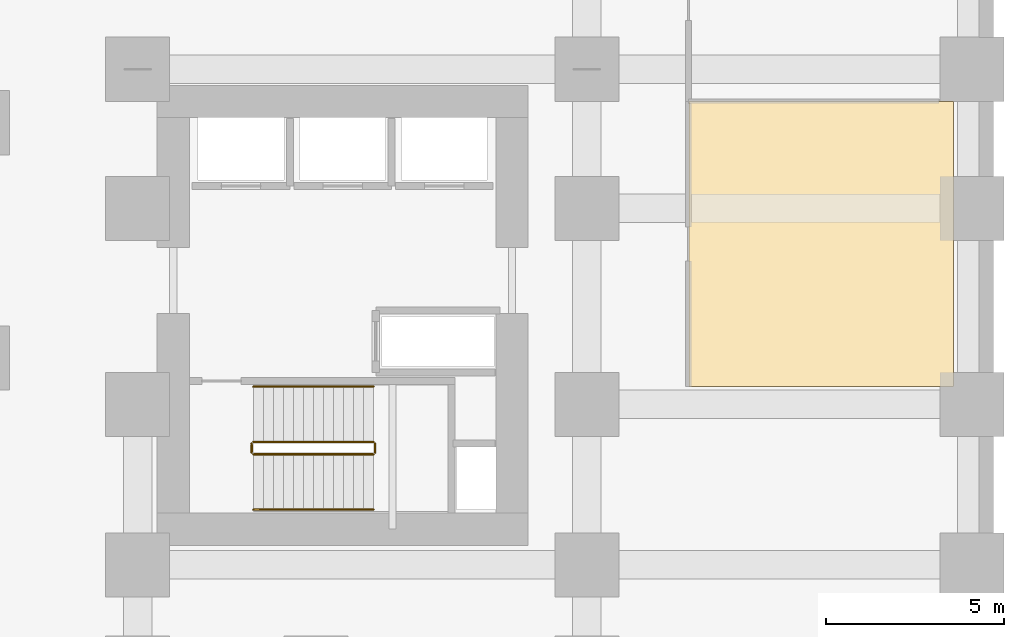
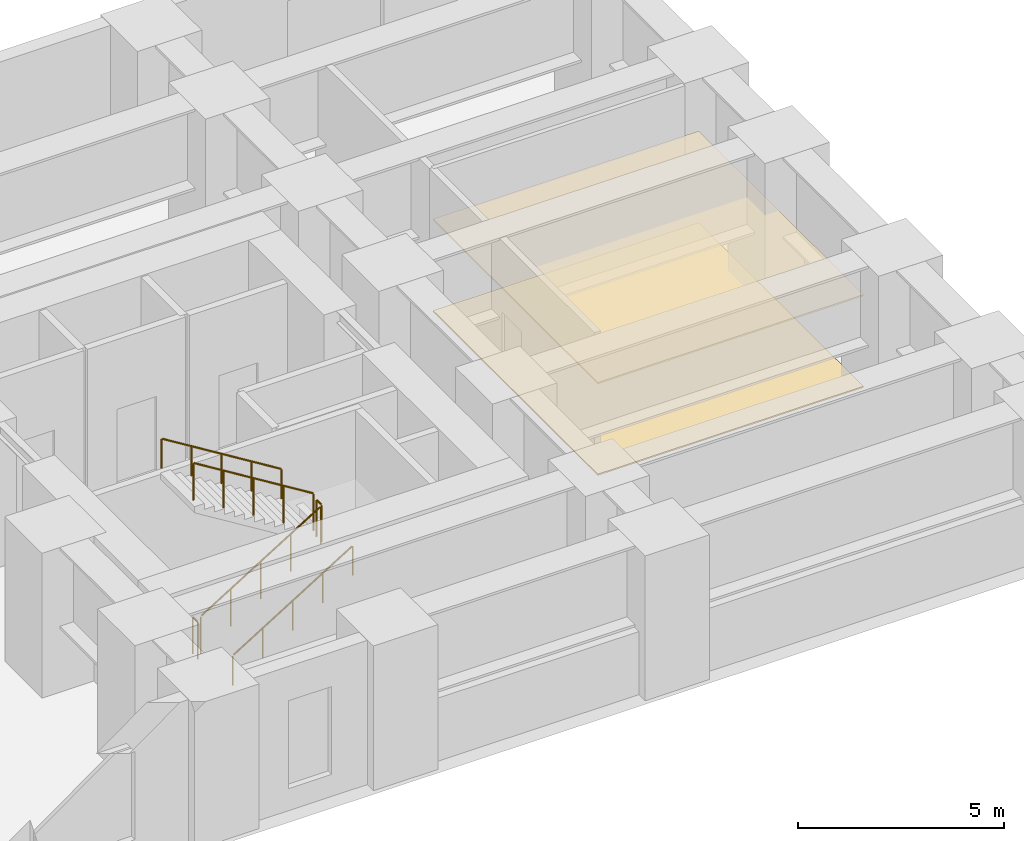
# One storey, part 11 of 12: 6 railings, 2 coverings.
"""IFC4 building model written with IfcOpenShell, lengths in metres."""

from ifc_helpers import new_model, si_unit, direction, frame, origin, origin_2d, place, context, subcontext, project, spatial, polyline, circle, outline, extrude, source, transform, mapped, material, layer, layer_set, type_object, element, save


model = new_model("IFC4")

# Units and contexts
model_context = context("Model", 3, precision=1e-05, world=origin(), true_north=direction((0.0, 1.0)))
body_context = subcontext(model_context, "Body", "Model", "MODEL_VIEW")
ifc_project = project(units=[si_unit("LENGTHUNIT", "METRE"), si_unit("AREAUNIT", "SQUARE_METRE"), si_unit("VOLUMEUNIT", "CUBIC_METRE"), si_unit("PLANEANGLEUNIT", "RADIAN"), si_unit("MASSUNIT", "GRAM", prefix="KILO")], contexts=[model_context])

# Site, building, storey
site_placement = place(None, origin())
site = spatial("IfcSite", under=ifc_project, at=site_placement, CompositionType="ELEMENT")
building_placement = place(site_placement, origin())
building = spatial("IfcBuilding", under=site, at=building_placement, Name="Kharzan Plaza Tower", CompositionType="ELEMENT")
storey_placement = place(building_placement, frame((0.0, 0.0, 18.0)))
storey = spatial("IfcBuildingStorey", under=building, at=storey_placement, Name="L04", CompositionType="ELEMENT", Elevation=18.0)

# Coverings
ifc_material_1 = material(Name="Perforated Acoustic Mineral-Fibre Tile", Category="gypsum")
ifc_layer_1 = layer(ifc_material_1, 0.044921875)
ifc_layer_set_1 = layer_set([ifc_layer_1], Name="Perforated Acoustic Mineral-Fibre Tile")
covering_type_1 = type_object("IfcCoveringType", Name="COV-CEIL-ACT", PredefinedType="CEILING", material=ifc_layer_set_1)
covering_1_placement = place(storey_placement, frame((0.0, 0.0, 2.705078125)))
element("IfcCovering", 1, at=covering_1_placement, inside=storey, type_object=covering_type_1, Name="L04 Suspended Acoustic Ceiling KIT1", PredefinedType="CEILING", context=body_context, shape_type="SweptSolid", body=[
    extrude(outline(polyline([(50.4599609375, 8.510009765625), (57.889892578125, 8.510009765625), (57.889892578125, 16.489990234375), (50.4599609375, 16.489990234375), (50.4599609375, 8.510009765625)])), origin(), (0.0, 0.0, 1.0), 0.044921875),
])
ifc_material_2 = material(Name="Honed Najran Granite Terrazzo", Category="masonry")
ifc_layer_2 = layer(ifc_material_2, 0.0400390625)
ifc_layer_set_2 = layer_set([ifc_layer_2], Name="Honed Najran Granite Terrazzo")
covering_type_2 = type_object("IfcCoveringType", Name="COV-FLOOR-STN", PredefinedType="FLOORING", material=ifc_layer_set_2)
covering_2_placement = place(storey_placement, origin())
element("IfcCovering", 2, at=covering_2_placement, inside=storey, type_object=covering_type_2, Name="L04 Honed Granite Terrazzo Flooring KIT1", PredefinedType="FLOORING", context=body_context, shape_type="SweptSolid", body=[
    extrude(outline(polyline([(50.4599609375, 8.510009765625), (57.889892578125, 8.510009765625), (57.889892578125, 16.489990234375), (50.4599609375, 16.489990234375), (50.4599609375, 8.510009765625)])), origin(), (0.0, 0.0, 1.0), 0.0400390625),
])

# Railings
ifc_material_3 = material(Name="Painted Galvanized Architectural Steel", Category="steel")
ifc_layer_3 = layer(ifc_material_3, 0.074951171875)
ifc_layer_set_3 = layer_set([ifc_layer_3], Name="Painted Galvanized Architectural Steel")
railing_type_1 = type_object("IfcRailingType", Name="RL-GUARD-1120", PredefinedType="BALUSTRADE", material=ifc_layer_set_3)
shared_shape_1 = source(origin(), body_context, "Body", "SweptSolid", [
    extrude(circle(Radius=0.02392578125, at=origin_2d()), frame((0.0224609375, 0.0, 1.10986328125), z_axis=(0.850623216509, 0.0, 0.525775754039), x_axis=(0.0, 1.0, 0.0)), (0.0, 0.0, 1.0), 3.897216796875),
    extrude(circle(Radius=0.02099609375, at=origin_2d()), origin(), (0.0, 0.0, 1.0), 1.072021484375),
    extrude(circle(Radius=0.02099609375, at=origin_2d()), frame((0.840087890625, 0.0, 0.519287109375)), (0.0, 0.0, 1.0), 1.072021484375),
    extrude(circle(Radius=0.02099609375, at=origin_2d()), frame((1.68017578125, 0.0, 1.03857421875)), (0.0, 0.0, 1.0), 1.072021484375),
    extrude(circle(Radius=0.02099609375, at=origin_2d()), frame((2.52001953125, 0.0, 1.5576171875)), (0.0, 0.0, 1.0), 1.072021484375),
    extrude(circle(Radius=0.02099609375, at=origin_2d()), frame((3.360107421875, 0.0, 2.076904296875)), (0.0, 0.0, 1.0), 1.072021484375),
])
railing_1_placement = place(storey_placement, frame((38.25, 6.60009765625, 0.173095703125)))
element("IfcRailing", 3, at=railing_1_placement, inside=storey, type_object=railing_type_1, Name="L04 ST-3 stair guard 1", PredefinedType="BALUSTRADE", context=body_context, shape_type="MappedRepresentation", body=[
    mapped(shared_shape_1, transform((0.0, 0.0, 0.0), x_axis=(1.0, 0.0, 0.0), y_axis=(0.0, 1.0, 0.0), z_axis=(0.0, 0.0, 1.0))),
])
shared_shape_2 = source(origin(), body_context, "Body", "SweptSolid", [
    extrude(circle(Radius=0.02392578125, at=origin_2d()), frame((0.0, 0.0263671875, 1.09619140625), z_axis=(0.0, 1.0, 0.0), x_axis=(-1.0, 0.0, 0.0)), (0.0, 0.0, 1.0), 0.197021484375),
    extrude(circle(Radius=0.02099609375, at=origin_2d()), origin(), (0.0, 0.0, 1.0), 1.072021484375),
    extrude(circle(Radius=0.02099609375, at=origin_2d()), frame((0.0, 0.25, 0.0)), (0.0, 0.0, 1.0), 1.072021484375),
])
for number, where, name in (
    (4, (41.659912109375, 6.64990234375, 2.25), "L04 ST-3 stair guard 2"),
    (5, (38.199951171875, 6.64990234375, 0.0), "L04 ST-3 stair guard 4"),
):
    element("IfcRailing", number, at=place(storey_placement, frame(where)), inside=storey, type_object=railing_type_1, Name=name, PredefinedType="BALUSTRADE", context=body_context, shape_type="MappedRepresentation", body=[
        mapped(shared_shape_2, transform((0.0, 0.0, 0.0), x_axis=(1.0, 0.0, 0.0), y_axis=(0.0, 1.0, 0.0), z_axis=(0.0, 0.0, 1.0))),
    ])
shared_shape_3 = source(origin(), body_context, "Body", "SweptSolid", [
    extrude(circle(Radius=0.02392578125, at=origin_2d()), frame((-0.0224609375, 0.0, 1.10986328125), z_axis=(-0.850623216509, 0.0, 0.525775754039), x_axis=(0.0, -1.0, 0.0)), (0.0, 0.0, 1.0), 3.897216796875),
    extrude(circle(Radius=0.02099609375, at=origin_2d()), origin(), (0.0, 0.0, 1.0), 1.072021484375),
    extrude(circle(Radius=0.02099609375, at=origin_2d()), frame((-0.840087890625, 0.0, 0.519287109375)), (0.0, 0.0, 1.0), 1.072021484375),
    extrude(circle(Radius=0.02099609375, at=origin_2d()), frame((-1.68017578125, 0.0, 1.03857421875)), (0.0, 0.0, 1.0), 1.072021484375),
    extrude(circle(Radius=0.02099609375, at=origin_2d()), frame((-2.52001953125, 0.0, 1.5576171875)), (0.0, 0.0, 1.0), 1.072021484375),
    extrude(circle(Radius=0.02099609375, at=origin_2d()), frame((-3.360107421875, 0.0, 2.076904296875)), (0.0, 0.0, 1.0), 1.072021484375),
])
railing_2_placement = place(storey_placement, frame((41.610107421875, 6.949951171875, 2.423095703125)))
element("IfcRailing", 6, at=railing_2_placement, inside=storey, type_object=railing_type_1, Name="L04 ST-3 stair guard 3", PredefinedType="BALUSTRADE", context=body_context, shape_type="MappedRepresentation", body=[
    mapped(shared_shape_3, transform((0.0, 0.0, 0.0), x_axis=(1.0, 0.0, 0.0), y_axis=(0.0, 1.0, 0.0), z_axis=(0.0, 0.0, 1.0))),
])
ifc_material_4 = material(Name="Brushed Stainless Steel", Category="steel")
ifc_layer_4 = layer(ifc_material_4, 0.050048828125)
ifc_layer_set_4 = layer_set([ifc_layer_4], Name="Brushed Stainless Steel")
railing_type_2 = type_object("IfcRailingType", Name="RL-STAIR-HR920", PredefinedType="HANDRAIL", material=ifc_layer_set_4)
shared_shape_4 = source(origin(), body_context, "Body", "SweptSolid", [
    extrude(circle(Radius=0.02392578125, at=origin_2d()), frame((0.0224609375, 0.0, 0.8896484375), z_axis=(0.850623216509, 0.0, 0.525775754039), x_axis=(0.0, 1.0, 0.0)), (0.0, 0.0, 1.0), 3.897216796875),
    extrude(circle(Radius=0.02099609375, at=origin_2d()), origin(), (0.0, 0.0, 1.0), 0.851806640625),
    extrude(circle(Radius=0.02099609375, at=origin_2d()), frame((0.840087890625, 0.0, 0.519287109375)), (0.0, 0.0, 1.0), 0.851806640625),
    extrude(circle(Radius=0.02099609375, at=origin_2d()), frame((1.68017578125, 0.0, 1.03857421875)), (0.0, 0.0, 1.0), 0.851806640625),
    extrude(circle(Radius=0.02099609375, at=origin_2d()), frame((2.52001953125, 0.0, 1.5576171875)), (0.0, 0.0, 1.0), 0.851806640625),
    extrude(circle(Radius=0.02099609375, at=origin_2d()), frame((3.360107421875, 0.0, 2.076904296875)), (0.0, 0.0, 1.0), 0.851806640625),
])
railing_3_placement = place(storey_placement, frame((38.25, 5.050048828125, 0.173095703125)))
element("IfcRailing", 7, at=railing_3_placement, inside=storey, type_object=railing_type_2, Name="L04 ST-3 stair handrail 1", PredefinedType="HANDRAIL", context=body_context, shape_type="MappedRepresentation", body=[
    mapped(shared_shape_4, transform((0.0, 0.0, 0.0), x_axis=(1.0, 0.0, 0.0), y_axis=(0.0, 1.0, 0.0), z_axis=(0.0, 0.0, 1.0))),
])
shared_shape_5 = source(origin(), body_context, "Body", "SweptSolid", [
    extrude(circle(Radius=0.02392578125, at=origin_2d()), frame((-0.0224609375, 0.0, 0.8896484375), z_axis=(-0.850623216509, 0.0, 0.525775754039), x_axis=(0.0, -1.0, 0.0)), (0.0, 0.0, 1.0), 3.897216796875),
    extrude(circle(Radius=0.02099609375, at=origin_2d()), origin(), (0.0, 0.0, 1.0), 0.851806640625),
    extrude(circle(Radius=0.02099609375, at=origin_2d()), frame((-0.840087890625, 0.0, 0.519287109375)), (0.0, 0.0, 1.0), 0.851806640625),
    extrude(circle(Radius=0.02099609375, at=origin_2d()), frame((-1.68017578125, 0.0, 1.03857421875)), (0.0, 0.0, 1.0), 0.851806640625),
    extrude(circle(Radius=0.02099609375, at=origin_2d()), frame((-2.52001953125, 0.0, 1.5576171875)), (0.0, 0.0, 1.0), 0.851806640625),
    extrude(circle(Radius=0.02099609375, at=origin_2d()), frame((-3.360107421875, 0.0, 2.076904296875)), (0.0, 0.0, 1.0), 0.851806640625),
])
railing_4_placement = place(storey_placement, frame((41.610107421875, 8.5, 2.423095703125)))
element("IfcRailing", 8, at=railing_4_placement, inside=storey, type_object=railing_type_2, Name="L04 ST-3 stair handrail 2", PredefinedType="HANDRAIL", context=body_context, shape_type="MappedRepresentation", body=[
    mapped(shared_shape_5, transform((0.0, 0.0, 0.0), x_axis=(1.0, 0.0, 0.0), y_axis=(0.0, 1.0, 0.0), z_axis=(0.0, 0.0, 1.0))),
])

save(model, "model.ifc")
